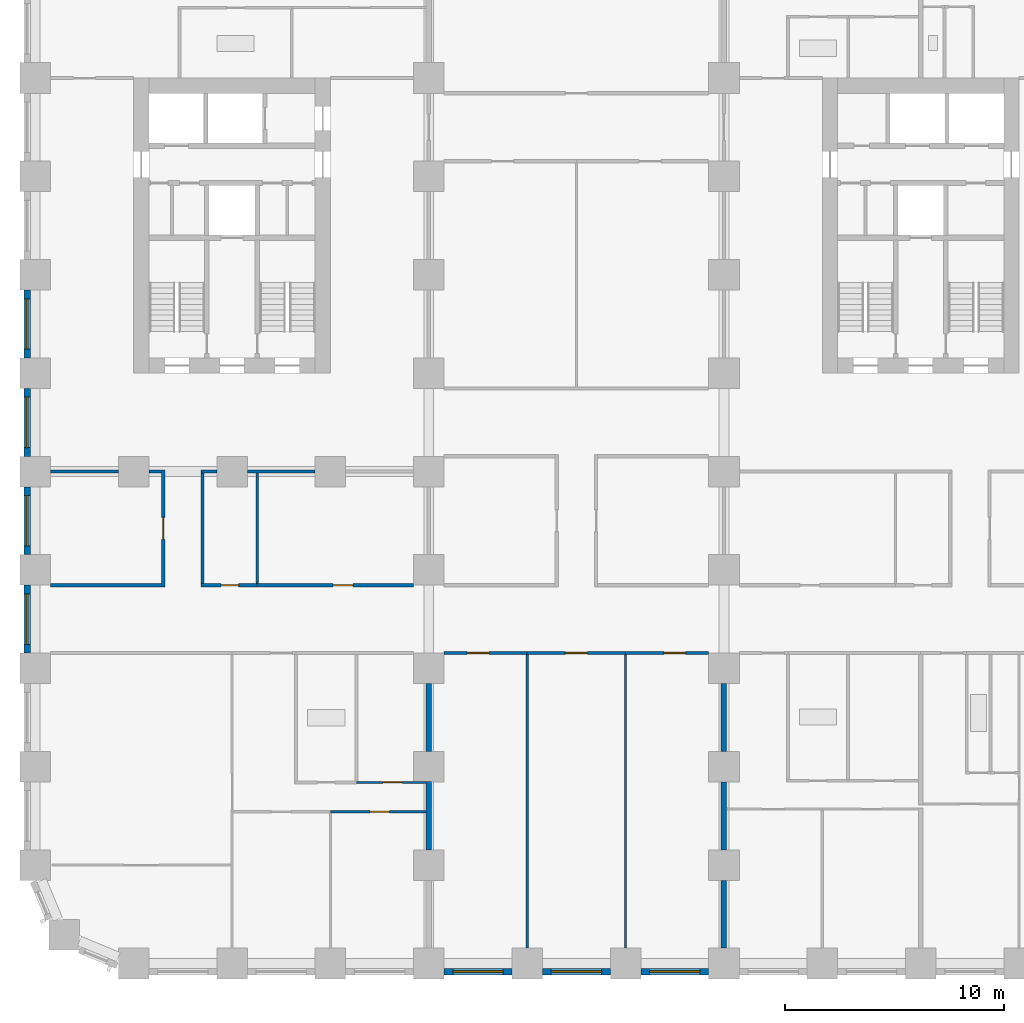
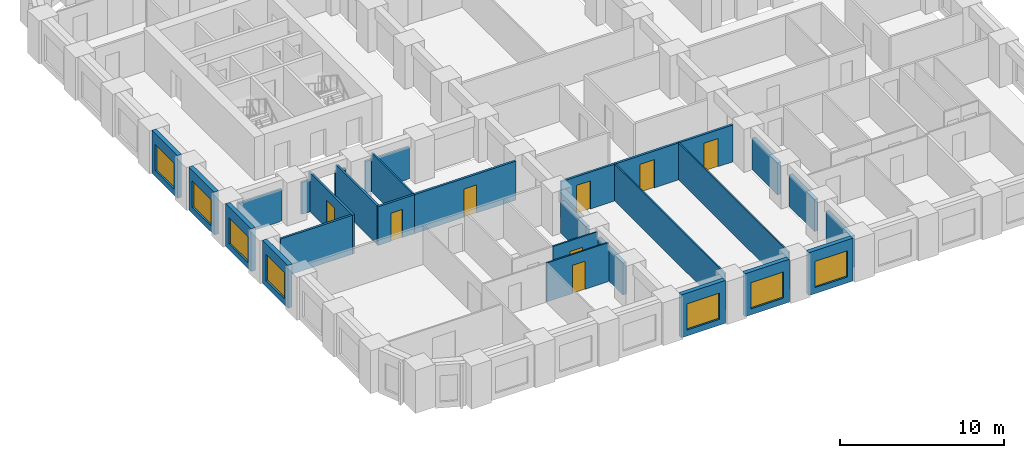
# One storey, part 3 of 12: 29 walls, 8 doors, 7 windows, 15 openings.
"""IFC4 building model written with IfcOpenShell, lengths in metres."""

import ifcopenshell
import ifcopenshell.guid

model = None  # the IFC model being written
_history = None  # IfcOwnerHistory: only IFC2X3 demands one
_inside = {}  # id of a spatial element -> (the spatial element, [elements in it])
_under = {}  # id of a project, library or spatial element -> (it, [spatial elements below it])
_declared = {}  # id of a project -> (the project, [libraries it declares])
_typed = {}  # id of a type object -> (the type object, [elements of that type])
_made_of = {}  # id of a material, layer set ... -> (it, [elements and type objects made of it])


def new_model(schema):
    """Start an empty IFC model of exactly this schema.

    Asked for "IFC4X3", IfcOpenShell would pick the latest addendum, in which some entities
    have other attributes; the version numbers below select the first issue.
    IFC2X3 requires an IfcOwnerHistory on every rooted entity: one is made here for all.
    """
    global model, _history
    if schema == "IFC4X3":
        model = ifcopenshell.file(schema_version=(4, 3, 0, 0))
    else:
        model = ifcopenshell.file(schema=schema)
    _inside.clear()
    _under.clear()
    _declared.clear()
    _typed.clear()
    _made_of.clear()
    _history = None
    if model.schema == "IFC2X3":
        org = make("IfcOrganization", Name="unknown")
        user = make(
            "IfcPersonAndOrganization",
            ThePerson=make("IfcPerson", FamilyName="unknown"),
            TheOrganization=org,
        )
        app = make(
            "IfcApplication",
            ApplicationDeveloper=org,
            Version="unknown",
            ApplicationFullName="unknown",
            ApplicationIdentifier="unknown",
        )
        _history = make(
            "IfcOwnerHistory",
            OwningUser=user,
            OwningApplication=app,
            ChangeAction="ADDED",
            CreationDate=0,
        )
    return model


def make(cls, **values):
    """One entity of the class cls with the attributes given. An attribute that is None is left unset."""
    return model.create_entity(
        cls, **{name: value for name, value in values.items() if value is not None}
    )


def rooted(cls, **values):
    """An entity with a GlobalId (a new one), such as an element, a storey or a relation."""
    return make(cls, GlobalId=ifcopenshell.guid.new(), OwnerHistory=_history, **values)


def si_unit(unit_type, name, prefix=None):
    """IfcSIUnit, for example si_unit("LENGTHUNIT", "METRE", prefix="MILLI")."""
    return make("IfcSIUnit", UnitType=unit_type, Prefix=prefix, Name=name)


def assignment(units):
    """IfcUnitAssignment: the units of a project."""
    return None if units is None else make("IfcUnitAssignment", Units=units)


def point(xyz):
    """IfcCartesianPoint."""
    return None if xyz is None else make("IfcCartesianPoint", Coordinates=xyz)


def direction(xyz):
    """IfcDirection."""
    return None if xyz is None else make("IfcDirection", DirectionRatios=xyz)


def frame(location, z_axis=None, x_axis=None):
    """IfcAxis2Placement3D, a coordinate frame: its origin and axes. An axis left out is left unset."""
    return make(
        "IfcAxis2Placement3D",
        Location=point(location),
        Axis=direction(z_axis),
        RefDirection=direction(x_axis),
    )


def frame_2d(location, x_axis=None):
    """IfcAxis2Placement2D, a coordinate frame in the plane: its origin and x axis."""
    return make(
        "IfcAxis2Placement2D", Location=point(location), RefDirection=direction(x_axis)
    )


def origin():
    """The frame at (0, 0, 0) with its axes left unset."""
    return frame((0.0, 0.0, 0.0))


def place(relative_to, where):
    """IfcLocalPlacement: puts the frame where relative to a parent placement (None: the world)."""
    return make(
        "IfcLocalPlacement", PlacementRelTo=relative_to, RelativePlacement=where
    )


def context(
    kind, dimensions, precision=None, world=None, true_north=None, identifier=None
):
    """IfcGeometricRepresentationContext, for example the 3D "Model" context."""
    return make(
        "IfcGeometricRepresentationContext",
        ContextIdentifier=identifier,
        ContextType=kind,
        CoordinateSpaceDimension=dimensions,
        Precision=precision,
        WorldCoordinateSystem=world,
        TrueNorth=true_north,
    )


def subcontext(parent, identifier, kind, view, scale=None):
    """IfcGeometricRepresentationSubContext, for example "Body" below "Model"."""
    return make(
        "IfcGeometricRepresentationSubContext",
        ContextIdentifier=identifier,
        ContextType=kind,
        ParentContext=parent,
        TargetScale=scale,
        TargetView=view,
    )


def project(units=None, contexts=None):
    """IfcProject with its units and contexts."""
    return rooted(
        "IfcProject",
        Name="project",
        RepresentationContexts=contexts,
        UnitsInContext=assignment(units),
    )


def spatial(cls, under=None, at=None, **own):
    """A site, building, storey or space (cls), placed at a placement, below another one or the project."""
    s = rooted(cls, ObjectPlacement=at, **own)
    if under is not None:
        _under.setdefault(under.id(), (under, []))[1].append(s)
    return s


def profile(cls, at=None, kind="AREA", **sizes):
    """A parametric profile (cls). Its sizes go by their IFC names, for example OverallWidth=200.0."""
    return make(cls, ProfileType=kind, Position=at, **sizes)


def rectangle(**sizes):
    """IfcRectangleProfileDef."""
    return profile("IfcRectangleProfileDef", **sizes)


def extrude(swept, where, along, depth):
    """IfcExtrudedAreaSolid: the profile swept, set in the frame where, extruded along a direction by depth."""
    return make(
        "IfcExtrudedAreaSolid",
        SweptArea=swept,
        Position=where,
        ExtrudedDirection=direction(along),
        Depth=depth,
    )


def shape(context_of_items, identifier, shape_type, items):
    """IfcShapeRepresentation: the items that make up one representation, for example the "Body"."""
    return make(
        "IfcShapeRepresentation",
        ContextOfItems=context_of_items,
        RepresentationIdentifier=identifier,
        RepresentationType=shape_type,
        Items=items,
    )


def material(Name=None, Category=None):
    """IfcMaterial."""
    return make("IfcMaterial", Name=Name, Category=Category)


def layer(
    of_material, thickness, ventilated=None, Name=None, Category=None, Priority=None
):
    """IfcMaterialLayer: one layer of a wall or slab, of a material (None: an air gap)."""
    return make(
        "IfcMaterialLayer",
        Material=of_material,
        LayerThickness=thickness,
        IsVentilated=ventilated,
        Name=Name,
        Category=Category,
        Priority=Priority,
    )


def layer_set(layers, Name=None):
    """IfcMaterialLayerSet."""
    return make("IfcMaterialLayerSet", MaterialLayers=layers, LayerSetName=Name)


def made_of(thing, what):
    """Note that an element or type object is made of a material, layer set ...; save() writes the relation."""
    if what is not None:
        _made_of.setdefault(what.id(), (what, []))[1].append(thing)
    return thing


def type_object(cls, material=None, **own):
    """A type object (cls), such as IfcWallType, which elements share."""
    return made_of(rooted(cls, **own), material)


def element(
    cls,
    number,
    at=None,
    inside=None,
    cuts=None,
    type_object=None,
    material=None,
    context=None,
    identifier="Body",
    shape_type=None,
    held_by="IfcProductDefinitionShape",
    body=None,
    shapes=None,
    **own,
):
    """One element of the class cls, such as IfcWall. Its Tag is "e" and its number.

    at: its placement. inside: the storey or other place that contains it. cuts: it is an
    opening in that element (IfcRelVoidsElement). A single representation is given by context,
    identifier, shape_type and body (its items); several are given by shapes. held_by: the class
    of the entity that holds the representations. save() writes the other relations.
    """
    e = rooted(cls, Tag="e%d" % number, ObjectPlacement=at, **own)
    if body is not None:
        shapes = [shape(context, identifier, shape_type, body)]
    if shapes is not None:
        e.Representation = make(held_by, Representations=shapes)
    if inside is not None:
        _inside.setdefault(inside.id(), (inside, []))[1].append(e)
    if cuts is not None:
        rooted(
            "IfcRelVoidsElement", RelatingBuildingElement=cuts, RelatedOpeningElement=e
        )
    if type_object is not None:
        _typed.setdefault(type_object.id(), (type_object, []))[1].append(e)
    return made_of(e, material)


def fill(opening, filler):
    """IfcRelFillsElement: the door or window that sits in an opening."""
    return rooted(
        "IfcRelFillsElement",
        RelatingOpeningElement=opening,
        RelatedBuildingElement=filler,
    )


def aggregate(whole, parts):
    """IfcRelAggregates: a whole, such as a stair, and the parts it consists of."""
    return rooted("IfcRelAggregates", RelatingObject=whole, RelatedObjects=parts)


def save(model, path):
    """Write the relations noted so far, then the file.

    IfcRelAggregates (storeys below a building ...), IfcRelContainedInSpatialStructure (elements
    in a storey), IfcRelDefinesByType, IfcRelAssociatesMaterial and IfcRelDeclares: one each for
    every whole, place, type object, material and project.
    """
    for whole, parts in _under.values():
        aggregate(whole, parts)
    for where, things in _inside.values():
        rooted(
            "IfcRelContainedInSpatialStructure",
            RelatedElements=things,
            RelatingStructure=where,
        )
    for kind, things in _typed.values():
        rooted("IfcRelDefinesByType", RelatedObjects=things, RelatingType=kind)
    for what, things in _made_of.values():
        rooted("IfcRelAssociatesMaterial", RelatedObjects=things, RelatingMaterial=what)
    for by, libraries in _declared.values():
        rooted("IfcRelDeclares", RelatingContext=by, RelatedDefinitions=libraries)
    model.write(path)


model = new_model("IFC4")

# Units and contexts
model_context = context("Model", 3, precision=1e-05, world=origin(), true_north=direction((0.0, 1.0)))
body_context = subcontext(model_context, "Body", "Model", "MODEL_VIEW")
ifc_project = project(units=[si_unit("LENGTHUNIT", "METRE"), si_unit("AREAUNIT", "SQUARE_METRE"), si_unit("VOLUMEUNIT", "CUBIC_METRE"), si_unit("PLANEANGLEUNIT", "RADIAN"), si_unit("MASSUNIT", "GRAM", prefix="KILO")], contexts=[model_context])

# Site, building, storey
site_placement = place(None, origin())
site = spatial("IfcSite", under=ifc_project, at=site_placement, CompositionType="ELEMENT")
building_placement = place(site_placement, origin())
building = spatial("IfcBuilding", under=site, at=building_placement, Name="Girih Gate Residences", CompositionType="ELEMENT")
storey_placement = place(building_placement, frame((0.0, 0.0, 36.800048828125)))
storey = spatial("IfcBuildingStorey", under=building, at=storey_placement, Name="L08", CompositionType="ELEMENT", Elevation=36.800048828125)

# Walls
ifc_material_1 = material(Name="Gypsum board on steel studs", Category="steel")
ifc_layer_1 = layer(ifc_material_1, 0.25)
ifc_layer_set_1 = layer_set([ifc_layer_1], Name="Acoustic separating wall 250 mm")
wall_type_1 = type_object("IfcWallType", Name="Acoustic separating wall 250 mm", PredefinedType="PARTITIONING", material=ifc_layer_set_1)
wall_1_placement = place(storey_placement, frame((18.0, 5.199951171875, 0.0), z_axis=(0.0, 0.0, 1.0), x_axis=(0.0, 1.0, 0.0)))
element("IfcWall", 1, at=wall_1_placement, inside=storey, type_object=wall_type_1, Name="L08 partition", PredefinedType="PARTITIONING", context=body_context, shape_type="SweptSolid", body=[
    extrude(rectangle(XDim=3.130126953125, YDim=0.25, at=frame_2d((1.56494140625, 0.0))), origin(), (0.0, 0.0, 1.0), 2.3798828125),
])
for number, where, z_axis, x_axis, name in (
    (2, (18.0, 9.699951171875, 0.0), (0.0, 0.0, 1.0), (0.0, 1.0, 0.0), "L08 partition"),
    (3, (31.5, 9.699951171875, 0.0), (0.0, 0.0, 1.0), (0.0, 1.0, 0.0), "L08 partition"),
    (4, (31.5, 0.699951171875, 0.0), (0.0, 0.0, 1.0), (0.0, 1.0, 0.0), "L08 partition"),
    (5, (31.5, 5.199951171875, 0.0), (0.0, 0.0, 1.0), (0.0, 1.0, 0.0), "L08 partition"),
):
    element("IfcWall", number, at=place(storey_placement, frame(where, z_axis=z_axis, x_axis=x_axis)), inside=storey, type_object=wall_type_1, Name=name, PredefinedType="PARTITIONING", context=body_context, shape_type="SweptSolid", body=[
        extrude(rectangle(XDim=3.10009765625, YDim=0.25, at=frame_2d((1.550048828125, 0.0))), origin(), (0.0, 0.0, 1.0), 2.3798828125),
    ])

# Wall, opening, door
ifc_layer_2 = layer(ifc_material_1, 0.14990234375)
ifc_layer_set_2 = layer_set([ifc_layer_2], Name="Compartment wall 150 mm")
wall_type_2 = type_object("IfcWallType", Name="Compartment wall 150 mm", PredefinedType="PARTITIONING", material=ifc_layer_set_2)
wall_2_placement = place(storey_placement, frame((22.5, 14.199951171875, 0.0), z_axis=(0.0, 0.0, 1.0), x_axis=(-1.0, 0.0, 0.0)))
wall_2 = element("IfcWall", 6, at=wall_2_placement, inside=storey, type_object=wall_type_2, Name="L08 partition", PredefinedType="PARTITIONING", context=body_context, shape_type="SweptSolid", body=[
    extrude(rectangle(XDim=3.800048828125, YDim=0.14990234375, at=frame_2d((1.89990234375, 0.0))), origin(), (0.0, 0.0, 1.0), 2.75),
])
opening_1_placement = place(wall_2_placement, frame((1.75, 0.0, 0.0)))
opening_1 = element("IfcOpeningElement", 7, at=opening_1_placement, cuts=wall_2, Name="Opening A08-040", PredefinedType="OPENING", context=body_context, shape_type="SweptSolid", body=[
    extrude(rectangle(XDim=1.0, YDim=2.10009765625, at=frame_2d((0.5, 1.050048828125))), frame((0.0, 0.0849609375, 0.0), z_axis=(0.0, -1.0, 0.0), x_axis=(1.0, 0.0, 0.0)), (0.0, 0.0, 1.0), 0.169921875),
])
ifc_material_2 = material(Name="Timber, fire-rated core", Category="wood")
door_type_1 = type_object("IfcDoorType", Name="Amenity room door 1000x2100 FD30S", OperationType="NOTDEFINED", PredefinedType="DOOR", material=ifc_material_2)
door_1_placement = place(opening_1_placement, origin())
door_1 = element("IfcDoor", 8, at=door_1_placement, inside=storey, type_object=door_type_1, Name="Door A08-040", OperationType="SINGLE_SWING_RIGHT", OverallHeight=2.10009765625, OverallWidth=1.0, PredefinedType="DOOR", context=body_context, shape_type="SweptSolid", body=[
    extrude(rectangle(XDim=1.0, YDim=2.10009765625, at=frame_2d((0.5, 1.050048828125))), frame((0.0, 0.02490234375, 0.0), z_axis=(0.0, -1.0, 0.0), x_axis=(1.0, 0.0, 0.0)), (0.0, 0.0, 1.0), 0.050048828125),
])
fill(opening_1, door_1)

wall_3_placement = place(storey_placement, frame((27.0, 14.199951171875, 0.0), z_axis=(0.0, 0.0, 1.0), x_axis=(-1.0, 0.0, 0.0)))
wall_3 = element("IfcWall", 9, at=wall_3_placement, inside=storey, type_object=wall_type_2, Name="L08 partition", PredefinedType="PARTITIONING", context=body_context, shape_type="SweptSolid", body=[
    extrude(rectangle(XDim=4.5, YDim=0.14990234375, at=frame_2d((2.25, 0.0))), origin(), (0.0, 0.0, 1.0), 2.75),
])
opening_2_placement = place(wall_3_placement, frame((1.75, 0.0, 0.0)))
opening_2 = element("IfcOpeningElement", 10, at=opening_2_placement, cuts=wall_3, Name="Opening A08-041", PredefinedType="OPENING", context=body_context, shape_type="SweptSolid", body=[
    extrude(rectangle(XDim=1.0, YDim=2.10009765625, at=frame_2d((0.5, 1.050048828125))), frame((0.0, 0.0849609375, 0.0), z_axis=(0.0, -1.0, 0.0), x_axis=(1.0, 0.0, 0.0)), (0.0, 0.0, 1.0), 0.169921875),
])
door_2_placement = place(opening_2_placement, origin())
door_2 = element("IfcDoor", 11, at=door_2_placement, inside=storey, type_object=door_type_1, Name="Door A08-041", OperationType="SINGLE_SWING_RIGHT", OverallHeight=2.10009765625, OverallWidth=1.0, PredefinedType="DOOR", context=body_context, shape_type="SweptSolid", body=[
    extrude(rectangle(XDim=1.0, YDim=2.10009765625, at=frame_2d((0.5, 1.050048828125))), frame((0.0, 0.02490234375, 0.0), z_axis=(0.0, -1.0, 0.0), x_axis=(1.0, 0.0, 0.0)), (0.0, 0.0, 1.0), 0.050048828125),
])
fill(opening_2, door_2)

wall_4_placement = place(storey_placement, frame((30.800048828125, 14.199951171875, 0.0), z_axis=(0.0, 0.0, 1.0), x_axis=(-1.0, 0.0, 0.0)))
wall_4 = element("IfcWall", 12, at=wall_4_placement, inside=storey, type_object=wall_type_2, Name="L08 partition", PredefinedType="PARTITIONING", context=body_context, shape_type="SweptSolid", body=[
    extrude(rectangle(XDim=3.800048828125, YDim=0.14990234375, at=frame_2d((1.89990234375, 0.0))), origin(), (0.0, 0.0, 1.0), 2.75),
])
opening_3_placement = place(wall_4_placement, frame((1.050048828125, 0.0, 0.0)))
opening_3 = element("IfcOpeningElement", 13, at=opening_3_placement, cuts=wall_4, Name="Opening A08-042", PredefinedType="OPENING", context=body_context, shape_type="SweptSolid", body=[
    extrude(rectangle(XDim=1.0, YDim=2.10009765625, at=frame_2d((0.5, 1.050048828125))), frame((0.0, 0.0849609375, 0.0), z_axis=(0.0, -1.0, 0.0), x_axis=(1.0, 0.0, 0.0)), (0.0, 0.0, 1.0), 0.169921875),
])
door_3_placement = place(opening_3_placement, origin())
door_3 = element("IfcDoor", 14, at=door_3_placement, inside=storey, type_object=door_type_1, Name="Door A08-042", OperationType="SINGLE_SWING_LEFT", OverallHeight=2.10009765625, OverallWidth=1.0, PredefinedType="DOOR", context=body_context, shape_type="SweptSolid", body=[
    extrude(rectangle(XDim=1.0, YDim=2.10009765625, at=frame_2d((0.5, 1.050048828125))), frame((0.0, 0.02490234375, 0.0), z_axis=(0.0, -1.0, 0.0), x_axis=(1.0, 0.0, 0.0)), (0.0, 0.0, 1.0), 0.050048828125),
])
fill(opening_3, door_3)

wall_5_placement = place(storey_placement, frame((10.14990234375, 17.300048828125, 0.0), z_axis=(0.0, 0.0, 1.0), x_axis=(1.0, 0.0, 0.0)))
wall_5 = element("IfcWall", 15, at=wall_5_placement, inside=storey, type_object=wall_type_2, Name="L08 partition", PredefinedType="PARTITIONING", context=body_context, shape_type="SweptSolid", body=[
    extrude(rectangle(XDim=7.150146484375, YDim=0.14990234375, at=frame_2d((3.5751953125, 0.0))), origin(), (0.0, 0.0, 1.0), 2.89990234375),
])
opening_4_placement = place(wall_5_placement, frame((3.47509765625, 0.0, 0.0)))
opening_4 = element("IfcOpeningElement", 16, at=opening_4_placement, cuts=wall_5, Name="Opening A08-046", PredefinedType="OPENING", context=body_context, shape_type="SweptSolid", body=[
    extrude(rectangle(XDim=0.89990234375, YDim=2.10009765625, at=frame_2d((0.449951171875, 1.050048828125))), frame((0.0, 0.0849609375, 0.0), z_axis=(0.0, -1.0, 0.0), x_axis=(1.0, 0.0, 0.0)), (0.0, 0.0, 1.0), 0.169921875),
])
ifc_material_3 = material(Name="Timber", Category="wood")
door_type_2 = type_object("IfcDoorType", Name="Service room door 900x2100", OperationType="NOTDEFINED", PredefinedType="DOOR", material=ifc_material_3)
door_4_placement = place(opening_4_placement, origin())
door_4 = element("IfcDoor", 17, at=door_4_placement, inside=storey, type_object=door_type_2, Name="Door A08-046", OperationType="SINGLE_SWING_RIGHT", OverallHeight=2.10009765625, OverallWidth=0.89990234375, PredefinedType="DOOR", context=body_context, shape_type="SweptSolid", body=[
    extrude(rectangle(XDim=0.89990234375, YDim=2.10009765625, at=frame_2d((0.449951171875, 1.050048828125))), frame((0.0, 0.02490234375, 0.0), z_axis=(0.0, -1.0, 0.0), x_axis=(1.0, 0.0, 0.0)), (0.0, 0.0, 1.0), 0.050048828125),
])
fill(opening_4, door_4)

wall_6_placement = place(storey_placement, frame((7.574951171875, 17.300048828125, 0.0), z_axis=(0.0, 0.0, 1.0), x_axis=(1.0, 0.0, 0.0)))
wall_6 = element("IfcWall", 18, at=wall_6_placement, inside=storey, type_object=wall_type_2, Name="L08 partition", PredefinedType="PARTITIONING", context=body_context, shape_type="SweptSolid", body=[
    extrude(rectangle(XDim=2.574951171875, YDim=0.14990234375, at=frame_2d((1.28759765625, 0.0))), origin(), (0.0, 0.0, 1.0), 2.89990234375),
])
opening_5_placement = place(wall_6_placement, frame((0.925048828125, 0.0, 0.0)))
opening_5 = element("IfcOpeningElement", 19, at=opening_5_placement, cuts=wall_6, Name="Opening A08-048", PredefinedType="OPENING", context=body_context, shape_type="SweptSolid", body=[
    extrude(rectangle(XDim=0.800048828125, YDim=2.10009765625, at=frame_2d((0.39990234375, 1.050048828125))), frame((0.0, 0.0849609375, 0.0), z_axis=(0.0, -1.0, 0.0), x_axis=(1.0, 0.0, 0.0)), (0.0, 0.0, 1.0), 0.169921875),
])
door_type_3 = type_object("IfcDoorType", Name="Bathroom door 800x2100", OperationType="NOTDEFINED", PredefinedType="DOOR", material=ifc_material_3)
door_5_placement = place(opening_5_placement, origin())
door_5 = element("IfcDoor", 20, at=door_5_placement, inside=storey, type_object=door_type_3, Name="Door A08-048", OperationType="SINGLE_SWING_RIGHT", OverallHeight=2.10009765625, OverallWidth=0.800048828125, PredefinedType="DOOR", context=body_context, shape_type="SweptSolid", body=[
    extrude(rectangle(XDim=0.800048828125, YDim=2.10009765625, at=frame_2d((0.39990234375, 1.050048828125))), frame((0.0, 0.02490234375, 0.0), z_axis=(0.0, -1.0, 0.0), x_axis=(1.0, 0.0, 0.0)), (0.0, 0.0, 1.0), 0.050048828125),
])
fill(opening_5, door_5)

# Walls
wall_7_placement = place(storey_placement, frame((0.699951171875, 17.300048828125, 0.0), z_axis=(0.0, 0.0, 1.0), x_axis=(1.0, 0.0, 0.0)))
element("IfcWall", 21, at=wall_7_placement, inside=storey, type_object=wall_type_2, Name="L08 partition", PredefinedType="PARTITIONING", context=body_context, shape_type="SweptSolid", body=[
    extrude(rectangle(XDim=5.074951171875, YDim=0.14990234375, at=frame_2d((2.53759765625, 0.0))), origin(), (0.0, 0.0, 1.0), 2.89990234375),
])
wall_8_placement = place(storey_placement, frame((9.699951171875, 22.5, 0.0), z_axis=(0.0, 0.0, 1.0), x_axis=(1.0, 0.0, 0.0)))
element("IfcWall", 22, at=wall_8_placement, inside=storey, type_object=wall_type_2, Name="L08 partition", PredefinedType="PARTITIONING", context=body_context, shape_type="SweptSolid", body=[
    extrude(rectangle(XDim=3.10009765625, YDim=0.14990234375, at=frame_2d((1.550048828125, 0.0))), origin(), (0.0, 0.0, 1.0), 2.3798828125),
])
wall_9_placement = place(storey_placement, frame((7.574951171875, 22.5, 0.0), z_axis=(0.0, 0.0, 1.0), x_axis=(1.0, 0.0, 0.0)))
element("IfcWall", 23, at=wall_9_placement, inside=storey, type_object=wall_type_2, Name="L08 partition", PredefinedType="PARTITIONING", context=body_context, shape_type="SweptSolid", body=[
    extrude(rectangle(XDim=0.72509765625, YDim=0.14990234375, at=frame_2d((0.362548828125, 0.0))), origin(), (0.0, 0.0, 1.0), 2.3798828125),
])
wall_10_placement = place(storey_placement, frame((5.199951171875, 22.5, 0.0), z_axis=(0.0, 0.0, 1.0), x_axis=(1.0, 0.0, 0.0)))
element("IfcWall", 24, at=wall_10_placement, inside=storey, type_object=wall_type_2, Name="L08 partition", PredefinedType="PARTITIONING", context=body_context, shape_type="SweptSolid", body=[
    extrude(rectangle(XDim=0.574951171875, YDim=0.14990234375, at=frame_2d((0.28759765625, 0.0))), origin(), (0.0, 0.0, 1.0), 2.3798828125),
])
wall_11_placement = place(storey_placement, frame((0.699951171875, 22.5, 0.0), z_axis=(0.0, 0.0, 1.0), x_axis=(1.0, 0.0, 0.0)))
element("IfcWall", 25, at=wall_11_placement, inside=storey, type_object=wall_type_2, Name="L08 partition", PredefinedType="PARTITIONING", context=body_context, shape_type="SweptSolid", body=[
    extrude(rectangle(XDim=3.10009765625, YDim=0.14990234375, at=frame_2d((1.550048828125, 0.0))), origin(), (0.0, 0.0, 1.0), 2.3798828125),
])
wall_12_placement = place(storey_placement, frame((7.64990234375, 17.375, 0.0), z_axis=(0.0, 0.0, 1.0), x_axis=(0.0, 1.0, 0.0)))
element("IfcWall", 26, at=wall_12_placement, inside=storey, type_object=wall_type_2, Name="L08 partition", PredefinedType="PARTITIONING", context=body_context, shape_type="SweptSolid", body=[
    extrude(rectangle(XDim=5.050048828125, YDim=0.14990234375, at=frame_2d((2.52490234375, 0.0))), origin(), (0.0, 0.0, 1.0), 2.89990234375),
])

# Wall, opening, door
wall_13_placement = place(storey_placement, frame((5.85009765625, 17.22509765625, 0.0), z_axis=(0.0, 0.0, 1.0), x_axis=(0.0, 1.0, 0.0)))
wall_13 = element("IfcWall", 27, at=wall_13_placement, inside=storey, type_object=wall_type_2, Name="L08 partition", PredefinedType="PARTITIONING", context=body_context, shape_type="SweptSolid", body=[
    extrude(rectangle(XDim=5.349853515625, YDim=0.14990234375, at=frame_2d((2.6748046875, 0.0))), origin(), (0.0, 0.0, 1.0), 2.89990234375),
])
opening_6_placement = place(wall_13_placement, frame((2.175048828125, 0.0, 0.0)))
opening_6 = element("IfcOpeningElement", 28, at=opening_6_placement, cuts=wall_13, Name="Opening A08-050", PredefinedType="OPENING", context=body_context, shape_type="SweptSolid", body=[
    extrude(rectangle(XDim=1.0, YDim=2.10009765625, at=frame_2d((0.5, 1.050048828125))), frame((0.0, 0.0849609375, 0.0), z_axis=(0.0, -1.0, 0.0), x_axis=(1.0, 0.0, 0.0)), (0.0, 0.0, 1.0), 0.169921875),
])
door_6_placement = place(opening_6_placement, origin())
door_6 = element("IfcDoor", 29, at=door_6_placement, inside=storey, type_object=door_type_1, Name="Door A08-050", OperationType="SINGLE_SWING_LEFT", OverallHeight=2.10009765625, OverallWidth=1.0, PredefinedType="DOOR", context=body_context, shape_type="SweptSolid", body=[
    extrude(rectangle(XDim=1.0, YDim=2.10009765625, at=frame_2d((0.5, 1.050048828125))), frame((0.0, 0.02490234375, 0.0), z_axis=(0.0, -1.0, 0.0), x_axis=(1.0, 0.0, 0.0)), (0.0, 0.0, 1.0), 0.050048828125),
])
fill(opening_6, door_6)

ifc_layer_3 = layer(ifc_material_1, 0.10009765625)
ifc_layer_set_3 = layer_set([ifc_layer_3], Name="Partition 100 mm")
wall_type_3 = type_object("IfcWallType", Name="Partition 100 mm", PredefinedType="PARTITIONING", material=ifc_layer_set_3)
wall_14_placement = place(storey_placement, frame((17.875, 6.93994140625, 0.0), z_axis=(0.0, 0.0, 1.0), x_axis=(-1.0, 0.0, 0.0)))
wall_14 = element("IfcWall", 30, at=wall_14_placement, inside=storey, type_object=wall_type_3, Name="L08 partition", PredefinedType="PARTITIONING", context=body_context, shape_type="SweptSolid", body=[
    extrude(rectangle(XDim=4.375, YDim=0.10009765625, at=frame_2d((2.1875, 0.0))), origin(), (0.0, 0.0, 1.0), 2.89990234375),
])
opening_7_placement = place(wall_14_placement, frame((1.675048828125, 0.0, 0.0)))
opening_7 = element("IfcOpeningElement", 31, at=opening_7_placement, cuts=wall_14, Name="Opening A08-003", PredefinedType="OPENING", context=body_context, shape_type="SweptSolid", body=[
    extrude(rectangle(XDim=0.89990234375, YDim=2.10009765625, at=frame_2d((0.449951171875, 1.050048828125))), frame((0.0, 0.06005859375, 0.0), z_axis=(0.0, -1.0, 0.0), x_axis=(1.0, 0.0, 0.0)), (0.0, 0.0, 1.0), 0.1201171875),
])
door_type_4 = type_object("IfcDoorType", Name="Bedroom door 900x2100", OperationType="NOTDEFINED", PredefinedType="DOOR", material=ifc_material_3)
door_7_placement = place(opening_7_placement, origin())
door_7 = element("IfcDoor", 32, at=door_7_placement, inside=storey, type_object=door_type_4, Name="Door A08-003", OperationType="SINGLE_SWING_LEFT", OverallHeight=2.10009765625, OverallWidth=0.89990234375, PredefinedType="DOOR", context=body_context, shape_type="SweptSolid", body=[
    extrude(rectangle(XDim=0.89990234375, YDim=2.10009765625, at=frame_2d((0.449951171875, 1.050048828125))), frame((0.0, 0.02490234375, 0.0), z_axis=(0.0, -1.0, 0.0), x_axis=(1.0, 0.0, 0.0)), (0.0, 0.0, 1.0), 0.050048828125),
])
fill(opening_7, door_7)

wall_15_placement = place(storey_placement, frame((14.6904296875, 8.280029296875, 0.0), z_axis=(0.0, 0.0, 1.0), x_axis=(1.0, 0.0, 0.0)))
wall_15 = element("IfcWall", 33, at=wall_15_placement, inside=storey, type_object=wall_type_3, Name="L08 partition", PredefinedType="PARTITIONING", context=body_context, shape_type="SweptSolid", body=[
    extrude(rectangle(XDim=3.1845703125, YDim=0.10009765625, at=frame_2d((1.59228515625, 0.0))), origin(), (0.0, 0.0, 1.0), 2.89990234375),
])
opening_8_placement = place(wall_15_placement, frame((1.20458984375, 0.0, 0.0)))
opening_8 = element("IfcOpeningElement", 34, at=opening_8_placement, cuts=wall_15, Name="Opening A08-006", PredefinedType="OPENING", context=body_context, shape_type="SweptSolid", body=[
    extrude(rectangle(XDim=0.89990234375, YDim=2.10009765625, at=frame_2d((0.449951171875, 1.050048828125))), frame((0.0, 0.06005859375, 0.0), z_axis=(0.0, -1.0, 0.0), x_axis=(1.0, 0.0, 0.0)), (0.0, 0.0, 1.0), 0.1201171875),
])
door_type_5 = type_object("IfcDoorType", Name="Kitchen door 900x2100", OperationType="NOTDEFINED", PredefinedType="DOOR", material=ifc_material_3)
door_8_placement = place(opening_8_placement, origin())
door_8 = element("IfcDoor", 35, at=door_8_placement, inside=storey, type_object=door_type_5, Name="Door A08-006", OperationType="SINGLE_SWING_RIGHT", OverallHeight=2.10009765625, OverallWidth=0.89990234375, PredefinedType="DOOR", context=body_context, shape_type="SweptSolid", body=[
    extrude(rectangle(XDim=0.89990234375, YDim=2.10009765625, at=frame_2d((0.449951171875, 1.050048828125))), frame((0.0, 0.02490234375, 0.0), z_axis=(0.0, -1.0, 0.0), x_axis=(1.0, 0.0, 0.0)), (0.0, 0.0, 1.0), 0.050048828125),
])
fill(opening_8, door_8)

# Walls
for number, where, z_axis, x_axis, name in (
    (36, (22.5, 0.699951171875, 0.0), (0.0, 0.0, 1.0), (0.0, 1.0, 0.0), "L08 partition"),
    (37, (27.0, 0.699951171875, 0.0), (0.0, 0.0, 1.0), (0.0, 1.0, 0.0), "L08 partition"),
):
    element("IfcWall", number, at=place(storey_placement, frame(where, z_axis=z_axis, x_axis=x_axis)), inside=storey, type_object=wall_type_3, Name=name, PredefinedType="PARTITIONING", context=body_context, shape_type="SweptSolid", body=[
        extrude(rectangle(XDim=13.425048828125, YDim=0.10009765625, at=frame_2d((6.71240234375, 0.0))), origin(), (0.0, 0.0, 1.0), 2.75),
    ])
wall_16_placement = place(storey_placement, frame((10.14990234375, 17.375, 0.0), z_axis=(0.0, 0.0, 1.0), x_axis=(0.0, 1.0, 0.0)))
element("IfcWall", 38, at=wall_16_placement, inside=storey, type_object=wall_type_3, Name="L08 partition", PredefinedType="PARTITIONING", context=body_context, shape_type="SweptSolid", body=[
    extrude(rectangle(XDim=5.050048828125, YDim=0.10009765625, at=frame_2d((2.52490234375, 0.0))), origin(), (0.0, 0.0, 1.0), 2.89990234375),
])

# Wall, opening, window
ifc_material_4 = material(Name="Precast concrete C50/60", Category="concrete")
ifc_layer_4 = layer(ifc_material_4, 0.080078125, Name="Outer leaf")
ifc_material_5 = material(Name="Rigid PIR insulation")
ifc_layer_5 = layer(ifc_material_5, 0.14990234375, Name="Insulation")
ifc_material_6 = material(Name="Precast concrete C40/50", Category="concrete")
ifc_layer_6 = layer(ifc_material_6, 0.070068359375, Name="Inner leaf")
ifc_layer_set_4 = layer_set([ifc_layer_4, ifc_layer_5, ifc_layer_6], Name="Precast concrete C50/60 external wall 300")
wall_type_4 = type_object("IfcWallType", Name="Precast concrete C50/60 external wall 300", PredefinedType="SOLIDWALL", material=ifc_layer_set_4)
wall_17_placement = place(storey_placement, frame((21.800048828125, -0.375, 0.0), z_axis=(0.0, 0.0, 1.0), x_axis=(-1.0, 0.0, 0.0)))
wall_17 = element("IfcWall", 39, at=wall_17_placement, inside=storey, type_object=wall_type_4, Name="External wall S0045_0000.3", PredefinedType="SOLIDWALL", context=body_context, shape_type="SweptSolid", body=[
    extrude(rectangle(XDim=3.10009765625, YDim=0.300048828125, at=frame_2d((1.550048828125, 0.0))), origin(), (0.0, 0.0, 1.0), 3.199951171875),
])
opening_9_placement = place(wall_17_placement, frame((0.39990234375, 0.0, 0.449951171875)))
opening_9 = element("IfcOpeningElement", 40, at=opening_9_placement, cuts=wall_17, Name="Opening W-1", PredefinedType="OPENING", context=body_context, shape_type="SweptSolid", body=[
    extrude(rectangle(XDim=2.300048828125, YDim=1.949951171875, at=frame_2d((1.14990234375, 0.97509765625))), frame((0.0, 0.159912109375, 0.0), z_axis=(0.0, -1.0, 0.0), x_axis=(1.0, 0.0, 0.0)), (0.0, 0.0, 1.0), 0.320068359375),
])
ifc_material_7 = material(Name="Double glazing in aluminium frame", Category="aluminium")
window_type = type_object("IfcWindowType", Name="Window W-1 2300x1950", PartitioningType="SINGLE_PANEL", PredefinedType="WINDOW", material=ifc_material_7)
window_1_placement = place(opening_9_placement, origin())
window_1 = element("IfcWindow", 41, at=window_1_placement, inside=storey, type_object=window_type, Name="Window W-1 S0045_0000.3", OverallHeight=1.949951171875, OverallWidth=2.300048828125, PartitioningType="SINGLE_PANEL", PredefinedType="WINDOW", context=body_context, shape_type="SweptSolid", body=[
    extrude(rectangle(XDim=2.300048828125, YDim=1.949951171875, at=frame_2d((1.14990234375, 0.97509765625))), frame((0.0, 0.030029296875, 0.0), z_axis=(0.0, -1.0, 0.0), x_axis=(1.0, 0.0, 0.0)), (0.0, 0.0, 1.0), 0.06005859375),
])
fill(opening_9, window_1)

wall_18_placement = place(storey_placement, frame((26.300048828125, -0.375, 0.0), z_axis=(0.0, 0.0, 1.0), x_axis=(-1.0, 0.0, 0.0)))
wall_18 = element("IfcWall", 42, at=wall_18_placement, inside=storey, type_object=wall_type_4, Name="External wall S0045_0000.4", PredefinedType="SOLIDWALL", context=body_context, shape_type="SweptSolid", body=[
    extrude(rectangle(XDim=3.10009765625, YDim=0.300048828125, at=frame_2d((1.550048828125, 0.0))), origin(), (0.0, 0.0, 1.0), 3.199951171875),
])
opening_10_placement = place(wall_18_placement, frame((0.39990234375, 0.0, 0.449951171875)))
opening_10 = element("IfcOpeningElement", 43, at=opening_10_placement, cuts=wall_18, Name="Opening W-1", PredefinedType="OPENING", context=body_context, shape_type="SweptSolid", body=[
    extrude(rectangle(XDim=2.300048828125, YDim=1.949951171875, at=frame_2d((1.14990234375, 0.97509765625))), frame((0.0, 0.159912109375, 0.0), z_axis=(0.0, -1.0, 0.0), x_axis=(1.0, 0.0, 0.0)), (0.0, 0.0, 1.0), 0.320068359375),
])
window_2_placement = place(opening_10_placement, origin())
window_2 = element("IfcWindow", 44, at=window_2_placement, inside=storey, type_object=window_type, Name="Window W-1 S0045_0000.4", OverallHeight=1.949951171875, OverallWidth=2.300048828125, PartitioningType="SINGLE_PANEL", PredefinedType="WINDOW", context=body_context, shape_type="SweptSolid", body=[
    extrude(rectangle(XDim=2.300048828125, YDim=1.949951171875, at=frame_2d((1.14990234375, 0.97509765625))), frame((0.0, 0.030029296875, 0.0), z_axis=(0.0, -1.0, 0.0), x_axis=(1.0, 0.0, 0.0)), (0.0, 0.0, 1.0), 0.06005859375),
])
fill(opening_10, window_2)

wall_19_placement = place(storey_placement, frame((30.800048828125, -0.375, 0.0), z_axis=(0.0, 0.0, 1.0), x_axis=(-1.0, 0.0, 0.0)))
wall_19 = element("IfcWall", 45, at=wall_19_placement, inside=storey, type_object=wall_type_4, Name="External wall S0045_0000.5", PredefinedType="SOLIDWALL", context=body_context, shape_type="SweptSolid", body=[
    extrude(rectangle(XDim=3.10009765625, YDim=0.300048828125, at=frame_2d((1.550048828125, 0.0))), origin(), (0.0, 0.0, 1.0), 3.199951171875),
])
opening_11_placement = place(wall_19_placement, frame((0.39990234375, 0.0, 0.449951171875)))
opening_11 = element("IfcOpeningElement", 46, at=opening_11_placement, cuts=wall_19, Name="Opening W-1", PredefinedType="OPENING", context=body_context, shape_type="SweptSolid", body=[
    extrude(rectangle(XDim=2.300048828125, YDim=1.949951171875, at=frame_2d((1.14990234375, 0.97509765625))), frame((0.0, 0.159912109375, 0.0), z_axis=(0.0, -1.0, 0.0), x_axis=(1.0, 0.0, 0.0)), (0.0, 0.0, 1.0), 0.320068359375),
])
window_3_placement = place(opening_11_placement, origin())
window_3 = element("IfcWindow", 47, at=window_3_placement, inside=storey, type_object=window_type, Name="Window W-1 S0045_0000.5", OverallHeight=1.949951171875, OverallWidth=2.300048828125, PartitioningType="SINGLE_PANEL", PredefinedType="WINDOW", context=body_context, shape_type="SweptSolid", body=[
    extrude(rectangle(XDim=2.300048828125, YDim=1.949951171875, at=frame_2d((1.14990234375, 0.97509765625))), frame((0.0, 0.030029296875, 0.0), z_axis=(0.0, -1.0, 0.0), x_axis=(1.0, 0.0, 0.0)), (0.0, 0.0, 1.0), 0.06005859375),
])
fill(opening_11, window_3)

wall_20_placement = place(storey_placement, frame((-0.375, 27.699951171875, 0.0), z_axis=(0.0, 0.0, 1.0), x_axis=(0.0, 1.0, 0.0)))
wall_20 = element("IfcWall", 48, at=wall_20_placement, inside=storey, type_object=wall_type_4, Name="External wall W0000_0450.3", PredefinedType="SOLIDWALL", context=body_context, shape_type="SweptSolid", body=[
    extrude(rectangle(XDim=3.10009765625, YDim=0.300048828125, at=frame_2d((1.550048828125, 0.0))), origin(), (0.0, 0.0, 1.0), 3.199951171875),
])
opening_12_placement = place(wall_20_placement, frame((0.39990234375, 0.0, 0.449951171875)))
opening_12 = element("IfcOpeningElement", 49, at=opening_12_placement, cuts=wall_20, Name="Opening W-1", PredefinedType="OPENING", context=body_context, shape_type="SweptSolid", body=[
    extrude(rectangle(XDim=2.300048828125, YDim=1.949951171875, at=frame_2d((1.14990234375, 0.97509765625))), frame((0.0, 0.159912109375, 0.0), z_axis=(0.0, -1.0, 0.0), x_axis=(1.0, 0.0, 0.0)), (0.0, 0.0, 1.0), 0.320068359375),
])
window_4_placement = place(opening_12_placement, origin())
window_4 = element("IfcWindow", 50, at=window_4_placement, inside=storey, type_object=window_type, Name="Window W-1 W0000_0450.3", OverallHeight=1.949951171875, OverallWidth=2.300048828125, PartitioningType="SINGLE_PANEL", PredefinedType="WINDOW", context=body_context, shape_type="SweptSolid", body=[
    extrude(rectangle(XDim=2.300048828125, YDim=1.949951171875, at=frame_2d((1.14990234375, 0.97509765625))), frame((0.0, 0.030029296875, 0.0), z_axis=(0.0, -1.0, 0.0), x_axis=(1.0, 0.0, 0.0)), (0.0, 0.0, 1.0), 0.06005859375),
])
fill(opening_12, window_4)

wall_21_placement = place(storey_placement, frame((-0.375, 23.199951171875, 0.0), z_axis=(0.0, 0.0, 1.0), x_axis=(0.0, 1.0, 0.0)))
wall_21 = element("IfcWall", 51, at=wall_21_placement, inside=storey, type_object=wall_type_4, Name="External wall W0000_0450.4", PredefinedType="SOLIDWALL", context=body_context, shape_type="SweptSolid", body=[
    extrude(rectangle(XDim=3.10009765625, YDim=0.300048828125, at=frame_2d((1.550048828125, 0.0))), origin(), (0.0, 0.0, 1.0), 3.199951171875),
])
opening_13_placement = place(wall_21_placement, frame((0.39990234375, 0.0, 0.449951171875)))
opening_13 = element("IfcOpeningElement", 52, at=opening_13_placement, cuts=wall_21, Name="Opening W-1", PredefinedType="OPENING", context=body_context, shape_type="SweptSolid", body=[
    extrude(rectangle(XDim=2.300048828125, YDim=1.949951171875, at=frame_2d((1.14990234375, 0.97509765625))), frame((0.0, 0.159912109375, 0.0), z_axis=(0.0, -1.0, 0.0), x_axis=(1.0, 0.0, 0.0)), (0.0, 0.0, 1.0), 0.320068359375),
])
window_5_placement = place(opening_13_placement, origin())
window_5 = element("IfcWindow", 53, at=window_5_placement, inside=storey, type_object=window_type, Name="Window W-1 W0000_0450.4", OverallHeight=1.949951171875, OverallWidth=2.300048828125, PartitioningType="SINGLE_PANEL", PredefinedType="WINDOW", context=body_context, shape_type="SweptSolid", body=[
    extrude(rectangle(XDim=2.300048828125, YDim=1.949951171875, at=frame_2d((1.14990234375, 0.97509765625))), frame((0.0, 0.030029296875, 0.0), z_axis=(0.0, -1.0, 0.0), x_axis=(1.0, 0.0, 0.0)), (0.0, 0.0, 1.0), 0.06005859375),
])
fill(opening_13, window_5)

wall_22_placement = place(storey_placement, frame((-0.375, 18.699951171875, 0.0), z_axis=(0.0, 0.0, 1.0), x_axis=(0.0, 1.0, 0.0)))
wall_22 = element("IfcWall", 54, at=wall_22_placement, inside=storey, type_object=wall_type_4, Name="External wall W0000_0450.5", PredefinedType="SOLIDWALL", context=body_context, shape_type="SweptSolid", body=[
    extrude(rectangle(XDim=3.10009765625, YDim=0.300048828125, at=frame_2d((1.550048828125, 0.0))), origin(), (0.0, 0.0, 1.0), 3.199951171875),
])
opening_14_placement = place(wall_22_placement, frame((0.39990234375, 0.0, 0.449951171875)))
opening_14 = element("IfcOpeningElement", 55, at=opening_14_placement, cuts=wall_22, Name="Opening W-1", PredefinedType="OPENING", context=body_context, shape_type="SweptSolid", body=[
    extrude(rectangle(XDim=2.300048828125, YDim=1.949951171875, at=frame_2d((1.14990234375, 0.97509765625))), frame((0.0, 0.159912109375, 0.0), z_axis=(0.0, -1.0, 0.0), x_axis=(1.0, 0.0, 0.0)), (0.0, 0.0, 1.0), 0.320068359375),
])
window_6_placement = place(opening_14_placement, origin())
window_6 = element("IfcWindow", 56, at=window_6_placement, inside=storey, type_object=window_type, Name="Window W-1 W0000_0450.5", OverallHeight=1.949951171875, OverallWidth=2.300048828125, PartitioningType="SINGLE_PANEL", PredefinedType="WINDOW", context=body_context, shape_type="SweptSolid", body=[
    extrude(rectangle(XDim=2.300048828125, YDim=1.949951171875, at=frame_2d((1.14990234375, 0.97509765625))), frame((0.0, 0.030029296875, 0.0), z_axis=(0.0, -1.0, 0.0), x_axis=(1.0, 0.0, 0.0)), (0.0, 0.0, 1.0), 0.06005859375),
])
fill(opening_14, window_6)

wall_23_placement = place(storey_placement, frame((-0.375, 14.199951171875, 0.0), z_axis=(0.0, 0.0, 1.0), x_axis=(0.0, 1.0, 0.0)))
wall_23 = element("IfcWall", 57, at=wall_23_placement, inside=storey, type_object=wall_type_4, Name="External wall W0000_0450.6", PredefinedType="SOLIDWALL", context=body_context, shape_type="SweptSolid", body=[
    extrude(rectangle(XDim=3.10009765625, YDim=0.300048828125, at=frame_2d((1.550048828125, 0.0))), origin(), (0.0, 0.0, 1.0), 3.199951171875),
])
opening_15_placement = place(wall_23_placement, frame((0.39990234375, 0.0, 0.449951171875)))
opening_15 = element("IfcOpeningElement", 58, at=opening_15_placement, cuts=wall_23, Name="Opening W-1", PredefinedType="OPENING", context=body_context, shape_type="SweptSolid", body=[
    extrude(rectangle(XDim=2.300048828125, YDim=1.949951171875, at=frame_2d((1.14990234375, 0.97509765625))), frame((0.0, 0.159912109375, 0.0), z_axis=(0.0, -1.0, 0.0), x_axis=(1.0, 0.0, 0.0)), (0.0, 0.0, 1.0), 0.320068359375),
])
window_7_placement = place(opening_15_placement, origin())
window_7 = element("IfcWindow", 59, at=window_7_placement, inside=storey, type_object=window_type, Name="Window W-1 W0000_0450.6", OverallHeight=1.949951171875, OverallWidth=2.300048828125, PartitioningType="SINGLE_PANEL", PredefinedType="WINDOW", context=body_context, shape_type="SweptSolid", body=[
    extrude(rectangle(XDim=2.300048828125, YDim=1.949951171875, at=frame_2d((1.14990234375, 0.97509765625))), frame((0.0, 0.030029296875, 0.0), z_axis=(0.0, -1.0, 0.0), x_axis=(1.0, 0.0, 0.0)), (0.0, 0.0, 1.0), 0.06005859375),
])
fill(opening_15, window_7)

save(model, "model.ifc")
